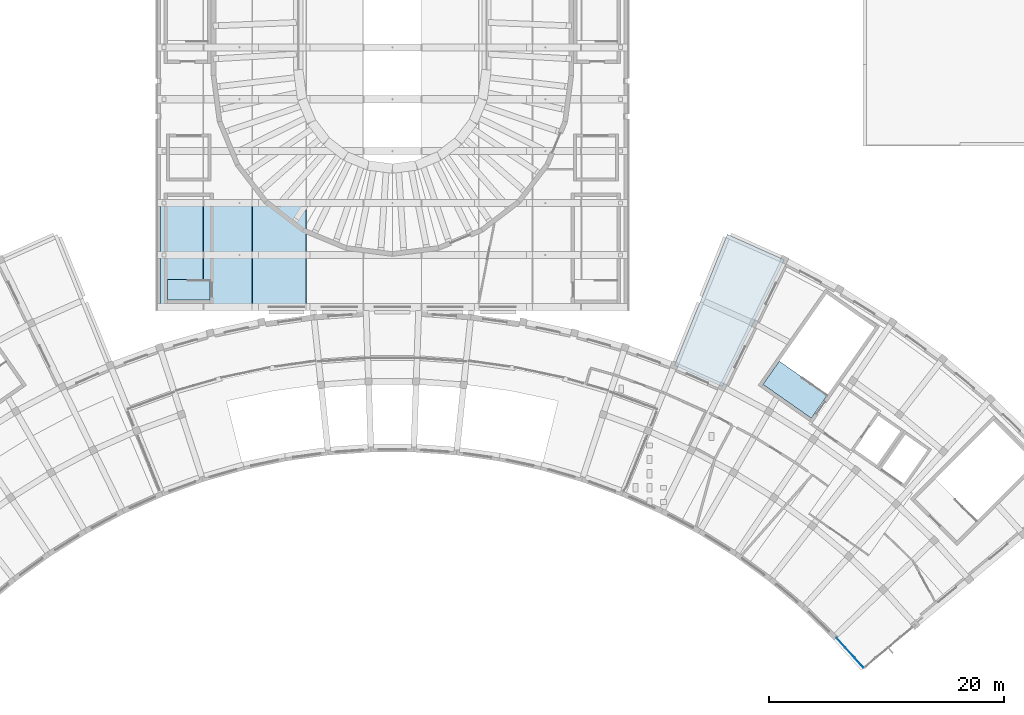
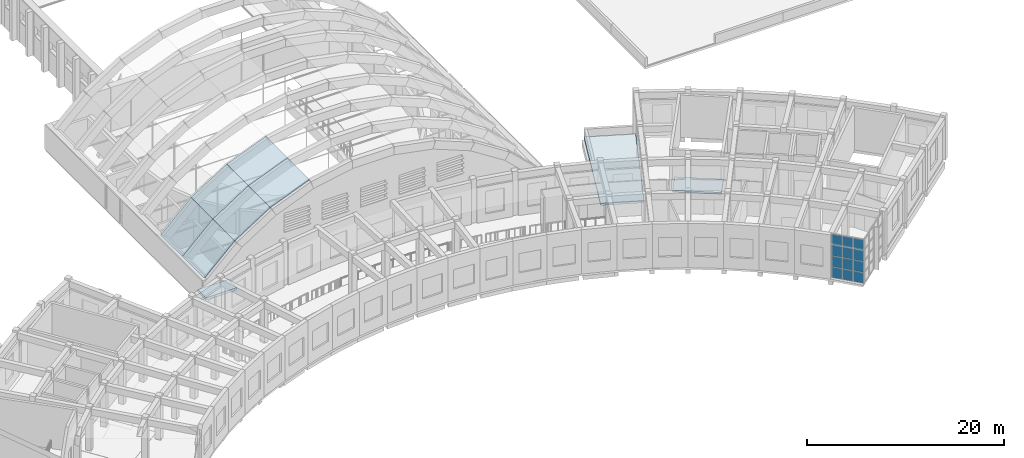
# One storey, part 55 of 94: 12 plates, 9 slabs, 1 element without a shape of its own.
"""IFC4 building model written with IfcOpenShell, lengths in metres."""

import ifcopenshell
import ifcopenshell.guid

model = None  # the IFC model being written
_history = None  # IfcOwnerHistory: only IFC2X3 demands one
_inside = {}  # id of a spatial element -> (the spatial element, [elements in it])
_under = {}  # id of a project, library or spatial element -> (it, [spatial elements below it])
_declared = {}  # id of a project -> (the project, [libraries it declares])
_typed = {}  # id of a type object -> (the type object, [elements of that type])
_made_of = {}  # id of a material, layer set ... -> (it, [elements and type objects made of it])


def new_model(schema):
    """Start an empty IFC model of exactly this schema.

    Asked for "IFC4X3", IfcOpenShell would pick the latest addendum, in which some entities
    have other attributes; the version numbers below select the first issue.
    IFC2X3 requires an IfcOwnerHistory on every rooted entity: one is made here for all.
    """
    global model, _history
    if schema == "IFC4X3":
        model = ifcopenshell.file(schema_version=(4, 3, 0, 0))
    else:
        model = ifcopenshell.file(schema=schema)
    _inside.clear()
    _under.clear()
    _declared.clear()
    _typed.clear()
    _made_of.clear()
    _history = None
    if model.schema == "IFC2X3":
        org = make("IfcOrganization", Name="unknown")
        user = make(
            "IfcPersonAndOrganization",
            ThePerson=make("IfcPerson", FamilyName="unknown"),
            TheOrganization=org,
        )
        app = make(
            "IfcApplication",
            ApplicationDeveloper=org,
            Version="unknown",
            ApplicationFullName="unknown",
            ApplicationIdentifier="unknown",
        )
        _history = make(
            "IfcOwnerHistory",
            OwningUser=user,
            OwningApplication=app,
            ChangeAction="ADDED",
            CreationDate=0,
        )
    return model


def make(cls, **values):
    """One entity of the class cls with the attributes given. An attribute that is None is left unset."""
    return model.create_entity(
        cls, **{name: value for name, value in values.items() if value is not None}
    )


def rooted(cls, **values):
    """An entity with a GlobalId (a new one), such as an element, a storey or a relation."""
    return make(cls, GlobalId=ifcopenshell.guid.new(), OwnerHistory=_history, **values)


def si_unit(unit_type, name, prefix=None):
    """IfcSIUnit, for example si_unit("LENGTHUNIT", "METRE", prefix="MILLI")."""
    return make("IfcSIUnit", UnitType=unit_type, Prefix=prefix, Name=name)


def assignment(units):
    """IfcUnitAssignment: the units of a project."""
    return None if units is None else make("IfcUnitAssignment", Units=units)


def point(xyz):
    """IfcCartesianPoint."""
    return None if xyz is None else make("IfcCartesianPoint", Coordinates=xyz)


def direction(xyz):
    """IfcDirection."""
    return None if xyz is None else make("IfcDirection", DirectionRatios=xyz)


def frame(location, z_axis=None, x_axis=None):
    """IfcAxis2Placement3D, a coordinate frame: its origin and axes. An axis left out is left unset."""
    return make(
        "IfcAxis2Placement3D",
        Location=point(location),
        Axis=direction(z_axis),
        RefDirection=direction(x_axis),
    )


def frame_2d(location, x_axis=None):
    """IfcAxis2Placement2D, a coordinate frame in the plane: its origin and x axis."""
    return make(
        "IfcAxis2Placement2D", Location=point(location), RefDirection=direction(x_axis)
    )


def origin():
    """The frame at (0, 0, 0) with its axes left unset."""
    return frame((0.0, 0.0, 0.0))


def origin_2d():
    """The frame at (0, 0) in the plane with its x axis left unset."""
    return frame_2d((0.0, 0.0))


def place(relative_to, where):
    """IfcLocalPlacement: puts the frame where relative to a parent placement (None: the world)."""
    return make(
        "IfcLocalPlacement", PlacementRelTo=relative_to, RelativePlacement=where
    )


def context(
    kind, dimensions, precision=None, world=None, true_north=None, identifier=None
):
    """IfcGeometricRepresentationContext, for example the 3D "Model" context."""
    return make(
        "IfcGeometricRepresentationContext",
        ContextIdentifier=identifier,
        ContextType=kind,
        CoordinateSpaceDimension=dimensions,
        Precision=precision,
        WorldCoordinateSystem=world,
        TrueNorth=true_north,
    )


def subcontext(parent, identifier, kind, view, scale=None):
    """IfcGeometricRepresentationSubContext, for example "Body" below "Model"."""
    return make(
        "IfcGeometricRepresentationSubContext",
        ContextIdentifier=identifier,
        ContextType=kind,
        ParentContext=parent,
        TargetScale=scale,
        TargetView=view,
    )


def project(units=None, contexts=None):
    """IfcProject with its units and contexts."""
    return rooted(
        "IfcProject",
        Name="project",
        RepresentationContexts=contexts,
        UnitsInContext=assignment(units),
    )


def spatial(cls, under=None, at=None, **own):
    """A site, building, storey or space (cls), placed at a placement, below another one or the project."""
    s = rooted(cls, ObjectPlacement=at, **own)
    if under is not None:
        _under.setdefault(under.id(), (under, []))[1].append(s)
    return s


def polyline(points):
    """IfcPolyline through the points."""
    return make("IfcPolyline", Points=[point(p) for p in points])


def profile(cls, at=None, kind="AREA", **sizes):
    """A parametric profile (cls). Its sizes go by their IFC names, for example OverallWidth=200.0."""
    return make(cls, ProfileType=kind, Position=at, **sizes)


def rectangle(**sizes):
    """IfcRectangleProfileDef."""
    return profile("IfcRectangleProfileDef", **sizes)


def outline(outer, holes=None, kind="AREA"):
    """IfcArbitraryClosedProfileDef: a profile drawn as a closed curve; with holes, ...WithVoids."""
    if holes is None:
        return make("IfcArbitraryClosedProfileDef", ProfileType=kind, OuterCurve=outer)
    return make(
        "IfcArbitraryProfileDefWithVoids",
        ProfileType=kind,
        OuterCurve=outer,
        InnerCurves=holes,
    )


def extrude(swept, where, along, depth):
    """IfcExtrudedAreaSolid: the profile swept, set in the frame where, extruded along a direction by depth."""
    return make(
        "IfcExtrudedAreaSolid",
        SweptArea=swept,
        Position=where,
        ExtrudedDirection=direction(along),
        Depth=depth,
    )


def shape(context_of_items, identifier, shape_type, items):
    """IfcShapeRepresentation: the items that make up one representation, for example the "Body"."""
    return make(
        "IfcShapeRepresentation",
        ContextOfItems=context_of_items,
        RepresentationIdentifier=identifier,
        RepresentationType=shape_type,
        Items=items,
    )


def material(Name=None, Category=None):
    """IfcMaterial."""
    return make("IfcMaterial", Name=Name, Category=Category)


def layer(
    of_material, thickness, ventilated=None, Name=None, Category=None, Priority=None
):
    """IfcMaterialLayer: one layer of a wall or slab, of a material (None: an air gap)."""
    return make(
        "IfcMaterialLayer",
        Material=of_material,
        LayerThickness=thickness,
        IsVentilated=ventilated,
        Name=Name,
        Category=Category,
        Priority=Priority,
    )


def layer_set(layers, Name=None):
    """IfcMaterialLayerSet."""
    return make("IfcMaterialLayerSet", MaterialLayers=layers, LayerSetName=Name)


def made_of(thing, what):
    """Note that an element or type object is made of a material, layer set ...; save() writes the relation."""
    if what is not None:
        _made_of.setdefault(what.id(), (what, []))[1].append(thing)
    return thing


def type_object(cls, material=None, **own):
    """A type object (cls), such as IfcWallType, which elements share."""
    return made_of(rooted(cls, **own), material)


def element(
    cls,
    number,
    at=None,
    inside=None,
    cuts=None,
    type_object=None,
    material=None,
    context=None,
    identifier="Body",
    shape_type=None,
    held_by="IfcProductDefinitionShape",
    body=None,
    shapes=None,
    **own,
):
    """One element of the class cls, such as IfcWall. Its Tag is "e" and its number.

    at: its placement. inside: the storey or other place that contains it. cuts: it is an
    opening in that element (IfcRelVoidsElement). A single representation is given by context,
    identifier, shape_type and body (its items); several are given by shapes. held_by: the class
    of the entity that holds the representations. save() writes the other relations.
    """
    e = rooted(cls, Tag="e%d" % number, ObjectPlacement=at, **own)
    if body is not None:
        shapes = [shape(context, identifier, shape_type, body)]
    if shapes is not None:
        e.Representation = make(held_by, Representations=shapes)
    if inside is not None:
        _inside.setdefault(inside.id(), (inside, []))[1].append(e)
    if cuts is not None:
        rooted(
            "IfcRelVoidsElement", RelatingBuildingElement=cuts, RelatedOpeningElement=e
        )
    if type_object is not None:
        _typed.setdefault(type_object.id(), (type_object, []))[1].append(e)
    return made_of(e, material)


def aggregate(whole, parts):
    """IfcRelAggregates: a whole, such as a stair, and the parts it consists of."""
    return rooted("IfcRelAggregates", RelatingObject=whole, RelatedObjects=parts)


def save(model, path):
    """Write the relations noted so far, then the file.

    IfcRelAggregates (storeys below a building ...), IfcRelContainedInSpatialStructure (elements
    in a storey), IfcRelDefinesByType, IfcRelAssociatesMaterial and IfcRelDeclares: one each for
    every whole, place, type object, material and project.
    """
    for whole, parts in _under.values():
        aggregate(whole, parts)
    for where, things in _inside.values():
        rooted(
            "IfcRelContainedInSpatialStructure",
            RelatedElements=things,
            RelatingStructure=where,
        )
    for kind, things in _typed.values():
        rooted("IfcRelDefinesByType", RelatedObjects=things, RelatingType=kind)
    for what, things in _made_of.values():
        rooted("IfcRelAssociatesMaterial", RelatedObjects=things, RelatingMaterial=what)
    for by, libraries in _declared.values():
        rooted("IfcRelDeclares", RelatingContext=by, RelatedDefinitions=libraries)
    model.write(path)


model = new_model("IFC4")

# Units and contexts
model_context = context("Model", 3, precision=1e-05, world=origin(), true_north=direction((0.0, 1.0)))
body_context = subcontext(model_context, "Body", "Model", "MODEL_VIEW")
ifc_project = project(units=[si_unit("LENGTHUNIT", "METRE"), si_unit("AREAUNIT", "SQUARE_METRE"), si_unit("VOLUMEUNIT", "CUBIC_METRE"), si_unit("PLANEANGLEUNIT", "RADIAN"), si_unit("MASSUNIT", "GRAM", prefix="KILO")], contexts=[model_context])

# Site, building, storey
site_placement = place(None, origin())
site = spatial("IfcSite", under=ifc_project, at=site_placement, CompositionType="ELEMENT")
building_placement = place(site_placement, origin())
building = spatial("IfcBuilding", under=site, at=building_placement, Name="Lunette Opera House", CompositionType="ELEMENT")
storey_placement = place(building_placement, frame((0.0, 0.0, 22.5)))
storey = spatial("IfcBuildingStorey", under=building, at=storey_placement, Name="L04", CompositionType="ELEMENT", Elevation=22.5)

# Slabs
ifc_material_1 = material(Name="Concrete C35/45", Category="concrete")
ifc_layer_1 = layer(ifc_material_1, 0.219970703125)
ifc_layer_set_1 = layer_set([ifc_layer_1], Name="Concrete C35/45")
slab_type_1 = type_object("IfcSlabType", Name="CORE LANDING SLAB 220", PredefinedType="LANDING", material=ifc_layer_set_1)
slab_1_placement = place(storey_placement, frame((0.0, 0.0, -0.219970703125)))
element("IfcSlab", 1, at=slab_1_placement, inside=storey, type_object=slab_type_1, Name="ST3 floor landing", PredefinedType="LANDING", context=body_context, shape_type="SweptSolid", body=[
    extrude(outline(polyline([(132.97607421875, 56.81689453125), (131.60009765625, 54.85107421875), (127.5029296875, 57.718994140625), (128.885986328125, 59.693115234375), (130.85205078125, 58.31689453125), (130.845947265625, 58.30810546875), (132.97607421875, 56.81689453125)])), origin(), (0.0, 0.0, 1.0), 0.219970703125),
])
ifc_material_2 = material(Name="Concrete C35/45", Category="concrete")
ifc_layer_2 = layer(ifc_material_2, 0.300048828125)
ifc_layer_set_2 = layer_set([ifc_layer_2], Name="Concrete C35/45")
slab_type_2 = type_object("IfcSlabType", Name="CORE LANDING SLAB 300", PredefinedType="LANDING", material=ifc_layer_set_2)
slab_2_placement = place(storey_placement, frame((0.0, 0.0, -0.300048828125)))
element("IfcSlab", 2, at=slab_2_placement, inside=storey, type_object=slab_type_2, Name="ST7 floor landing", PredefinedType="LANDING", context=body_context, shape_type="SweptSolid", body=[
    extrude(outline(polyline([(80.5, 66.6201171875), (80.5, 64.89990234375), (76.89990234375, 64.89990234375), (76.89990234375, 66.6298828125), (78.6201171875, 66.6298828125), (78.6201171875, 66.6201171875), (80.5, 66.6201171875)])), origin(), (0.0, 0.0, 1.0), 0.300048828125),
])

# Curtain wall, plates
ifc_material_3 = material(Name="Aluminium", Category="aluminium")
ifc_layer_3 = layer(ifc_material_3, 0.159912109375)
ifc_layer_set_3 = layer_set([ifc_layer_3], Name="Aluminium")
curtain_wall_type = type_object("IfcCurtainWallType", Name="CORNER CURTAIN WALL", PredefinedType="NOTDEFINED", material=ifc_layer_set_3)
curtain_wall_placement = place(storey_placement, origin())
curtain_wall = element("IfcCurtainWall", 3, at=curtain_wall_placement, inside=storey, type_object=curtain_wall_type, Name="Corner Curtain Wall GC-E1 L04", PredefinedType="NOTDEFINED")
ifc_material_4 = material(Name="Laminated glass", Category="glass")
ifc_layer_4 = layer(ifc_material_4, 0.028076171875)
ifc_layer_set_4 = layer_set([ifc_layer_4], Name="Laminated glass")
plate_type = type_object("IfcPlateType", Name="CURTAIN PANEL LAMINATED GLASS 28", PredefinedType="CURTAIN_PANEL", material=ifc_layer_set_4)
plate_1_placement = place(storey_placement, frame((134.125732421875, 35.777587890625, 0.06005859375), z_axis=(0.0, 0.0, 1.0), x_axis=(0.667938143615, -0.744216793887, 0.0)))
plate_1 = element("IfcPlate", 4, at=plate_1_placement, type_object=plate_type, Name="FC-X2179 panel 1.1", PredefinedType="CURTAIN_PANEL", context=body_context, shape_type="SweptSolid", body=[
    extrude(rectangle(XDim=1.07666015625, YDim=0.028076171875, at=origin_2d()), origin(), (0.0, 0.0, 1.0), 1.284912109375),
])
plate_2_placement = place(storey_placement, frame((134.125732421875, 35.777587890625, 1.405029296875), z_axis=(0.0, 0.0, 1.0), x_axis=(0.667938143615, -0.744216793887, 0.0)))
plate_2 = element("IfcPlate", 5, at=plate_2_placement, type_object=plate_type, Name="FC-X2179 panel 1.2", PredefinedType="CURTAIN_PANEL", context=body_context, shape_type="SweptSolid", body=[
    extrude(rectangle(XDim=1.07666015625, YDim=0.028076171875, at=origin_2d()), origin(), (0.0, 0.0, 1.0), 1.31494140625),
])
plate_3_placement = place(storey_placement, frame((134.125732421875, 35.777587890625, 2.780029296875), z_axis=(0.0, 0.0, 1.0), x_axis=(0.667938143615, -0.744216793887, 0.0)))
plate_3 = element("IfcPlate", 6, at=plate_3_placement, type_object=plate_type, Name="FC-X2179 panel 1.3", PredefinedType="CURTAIN_PANEL", context=body_context, shape_type="SweptSolid", body=[
    extrude(rectangle(XDim=1.07666015625, YDim=0.028076171875, at=origin_2d()), origin(), (0.0, 0.0, 1.0), 1.31494140625),
])
plate_4_placement = place(storey_placement, frame((134.125732421875, 35.777587890625, 4.1552734375), z_axis=(0.0, 0.0, 1.0), x_axis=(0.667938143615, -0.744216793887, 0.0)))
plate_4 = element("IfcPlate", 7, at=plate_4_placement, type_object=plate_type, Name="FC-X2179 panel 1.4", PredefinedType="CURTAIN_PANEL", context=body_context, shape_type="SweptSolid", body=[
    extrude(rectangle(XDim=1.07666015625, YDim=0.028076171875, at=origin_2d()), origin(), (0.0, 0.0, 1.0), 1.284912109375),
])
plate_5_placement = place(storey_placement, frame((134.89501953125, 34.92041015625, 0.06005859375), z_axis=(0.0, 0.0, 1.0), x_axis=(0.667938143615, -0.744216793887, 0.0)))
plate_5 = element("IfcPlate", 8, at=plate_5_placement, type_object=plate_type, Name="FC-X2179 panel 2.1", PredefinedType="CURTAIN_PANEL", context=body_context, shape_type="SweptSolid", body=[
    extrude(rectangle(XDim=1.106689453125, YDim=0.028076171875, at=origin_2d()), origin(), (0.0, 0.0, 1.0), 1.284912109375),
])
plate_6_placement = place(storey_placement, frame((134.89501953125, 34.92041015625, 1.405029296875), z_axis=(0.0, 0.0, 1.0), x_axis=(0.667938143615, -0.744216793887, 0.0)))
plate_6 = element("IfcPlate", 9, at=plate_6_placement, type_object=plate_type, Name="FC-X2179 panel 2.2", PredefinedType="CURTAIN_PANEL", context=body_context, shape_type="SweptSolid", body=[
    extrude(rectangle(XDim=1.106689453125, YDim=0.028076171875, at=origin_2d()), origin(), (0.0, 0.0, 1.0), 1.31494140625),
])
plate_7_placement = place(storey_placement, frame((134.89501953125, 34.92041015625, 2.780029296875), z_axis=(0.0, 0.0, 1.0), x_axis=(0.667938143615, -0.744216793887, 0.0)))
plate_7 = element("IfcPlate", 10, at=plate_7_placement, type_object=plate_type, Name="FC-X2179 panel 2.3", PredefinedType="CURTAIN_PANEL", context=body_context, shape_type="SweptSolid", body=[
    extrude(rectangle(XDim=1.106689453125, YDim=0.028076171875, at=origin_2d()), origin(), (0.0, 0.0, 1.0), 1.31494140625),
])
plate_8_placement = place(storey_placement, frame((134.89501953125, 34.92041015625, 4.1552734375), z_axis=(0.0, 0.0, 1.0), x_axis=(0.667938143615, -0.744216793887, 0.0)))
plate_8 = element("IfcPlate", 11, at=plate_8_placement, type_object=plate_type, Name="FC-X2179 panel 2.4", PredefinedType="CURTAIN_PANEL", context=body_context, shape_type="SweptSolid", body=[
    extrude(rectangle(XDim=1.106689453125, YDim=0.028076171875, at=origin_2d()), origin(), (0.0, 0.0, 1.0), 1.284912109375),
])
plate_9_placement = place(storey_placement, frame((135.664306640625, 34.063232421875, 0.06005859375), z_axis=(0.0, 0.0, 1.0), x_axis=(0.667938143615, -0.744216793887, 0.0)))
plate_9 = element("IfcPlate", 12, at=plate_9_placement, type_object=plate_type, Name="FC-X2179 panel 3.1", PredefinedType="CURTAIN_PANEL", context=body_context, shape_type="SweptSolid", body=[
    extrude(rectangle(XDim=1.07666015625, YDim=0.028076171875, at=origin_2d()), origin(), (0.0, 0.0, 1.0), 1.284912109375),
])
plate_10_placement = place(storey_placement, frame((135.664306640625, 34.063232421875, 1.405029296875), z_axis=(0.0, 0.0, 1.0), x_axis=(0.667938143615, -0.744216793887, 0.0)))
plate_10 = element("IfcPlate", 13, at=plate_10_placement, type_object=plate_type, Name="FC-X2179 panel 3.2", PredefinedType="CURTAIN_PANEL", context=body_context, shape_type="SweptSolid", body=[
    extrude(rectangle(XDim=1.07666015625, YDim=0.028076171875, at=origin_2d()), origin(), (0.0, 0.0, 1.0), 1.31494140625),
])
plate_11_placement = place(storey_placement, frame((135.664306640625, 34.063232421875, 2.780029296875), z_axis=(0.0, 0.0, 1.0), x_axis=(0.667938143615, -0.744216793887, 0.0)))
plate_11 = element("IfcPlate", 14, at=plate_11_placement, type_object=plate_type, Name="FC-X2179 panel 3.3", PredefinedType="CURTAIN_PANEL", context=body_context, shape_type="SweptSolid", body=[
    extrude(rectangle(XDim=1.07666015625, YDim=0.028076171875, at=origin_2d()), origin(), (0.0, 0.0, 1.0), 1.31494140625),
])
plate_12_placement = place(storey_placement, frame((135.664306640625, 34.063232421875, 4.1552734375), z_axis=(0.0, 0.0, 1.0), x_axis=(0.667938143615, -0.744216793887, 0.0)))
plate_12 = element("IfcPlate", 15, at=plate_12_placement, type_object=plate_type, Name="FC-X2179 panel 3.4", PredefinedType="CURTAIN_PANEL", context=body_context, shape_type="SweptSolid", body=[
    extrude(rectangle(XDim=1.07666015625, YDim=0.028076171875, at=origin_2d()), origin(), (0.0, 0.0, 1.0), 1.284912109375),
])
aggregate(curtain_wall, [plate_1, plate_2, plate_3, plate_4, plate_5, plate_6, plate_7, plate_8, plate_9, plate_10, plate_11, plate_12])

# Slabs
ifc_material_5 = material(Name="Concrete C35/45", Category="concrete")
ifc_layer_5 = layer(ifc_material_5, 0.25)
ifc_layer_set_5 = layer_set([ifc_layer_5], Name="Concrete C35/45")
slab_type_3 = type_object("IfcSlabType", Name="ROOF SLAB 250", PredefinedType="ROOF", material=ifc_layer_set_5)
slab_3_placement = place(storey_placement, frame((0.0, 0.0, -0.25)))
element("IfcSlab", 16, at=slab_3_placement, inside=storey, type_object=slab_type_3, Name="slab-FC-L03-R2", PredefinedType="ROOF", context=body_context, shape_type="SweptSolid", body=[
    extrude(outline(polyline([(124.469970703125, 70.466064453125), (119.97509765625, 59.340087890625), (124.055908203125, 57.52294921875), (129.31591796875, 68.30810546875), (124.469970703125, 70.466064453125)])), origin(), (0.0, 0.0, 1.0), 0.25),
])
ifc_material_6 = material(Name="Concrete C40/50", Category="concrete")
ifc_layer_6 = layer(ifc_material_6, 0.1201171875)
ifc_layer_set_6 = layer_set([ifc_layer_6], Name="Concrete C40/50")
slab_type_4 = type_object("IfcSlabType", Name="SHELL STRIP 120", PredefinedType="ROOF", material=ifc_layer_set_6)
slab_4_placement = place(storey_placement, frame((76.300048828125, 64.300048828125, 3.0), z_axis=(-0.690260134545, 0.0, 0.723561294333), x_axis=(0.723561294333, 0.0, 0.690260134545)))
element("IfcSlab", 17, at=slab_4_placement, inside=storey, type_object=slab_type_4, Name="slab-AU-L04-BS1-1", PredefinedType="ROOF", context=body_context, shape_type="SweptSolid", body=[
    extrude(outline(polyline([(0.0, 0.0), (4.955955394633429, 0.0), (4.955955394633429, 4.4140625), (0.0, 4.4140625), (0.0, 0.0)])), origin(), (0.0, 0.0, -1.0), 0.1201171875),
])
slab_5_placement = place(storey_placement, frame((79.885986328125, 64.300048828125, 6.4208984375), z_axis=(-0.540777508608, 0.0, 0.841165671068), x_axis=(0.841165671068, 0.0, 0.540777508608)))
element("IfcSlab", 18, at=slab_5_placement, inside=storey, type_object=slab_type_4, Name="slab-AU-L04-BS1-2", PredefinedType="ROOF", context=body_context, shape_type="SweptSolid", body=[
    extrude(outline(polyline([(0.0, 0.0), (4.956152463051835, 0.0), (4.956152463051835, 4.4140625), (0.0, 4.4140625), (0.0, 0.0)])), origin(), (0.0, 0.0, -1.0), 0.1201171875),
])
slab_6_placement = place(storey_placement, frame((84.054931640625, 64.300048828125, 9.10107421875), z_axis=(-0.371840739354, 0.0, 0.928296539128), x_axis=(0.928296539128, 0.0, 0.371840739354)))
element("IfcSlab", 19, at=slab_6_placement, inside=storey, type_object=slab_type_4, Name="slab-AU-L04-BS1-3", PredefinedType="ROOF", context=body_context, shape_type="SweptSolid", body=[
    extrude(outline(polyline([(0.0, 0.0), (4.9564702924282384, 0.0), (4.9564702924282384, 4.4140625), (0.0, 4.4140625), (0.0, 0.0)])), origin(), (0.0, 0.0, -1.0), 0.1201171875),
])
slab_7_placement = place(storey_placement, frame((76.300048828125, 68.714111328125, 3.0), z_axis=(-0.690260134545, 0.0, 0.723561294333), x_axis=(0.723561294333, 0.0, 0.690260134545)))
element("IfcSlab", 20, at=slab_7_placement, inside=storey, type_object=slab_type_4, Name="slab-AU-L04-BS2-1", PredefinedType="ROOF", context=body_context, shape_type="SweptSolid", body=[
    extrude(outline(polyline([(0.0, 0.0), (4.955955394633429, 0.0), (4.955955394633429, 4.414794921874999), (0.0, 4.414794921874999), (0.0, 0.0)])), origin(), (0.0, 0.0, -1.0), 0.1201171875),
])
slab_8_placement = place(storey_placement, frame((79.885986328125, 68.714111328125, 6.4208984375), z_axis=(-0.540777508608, 0.0, 0.841165671068), x_axis=(0.841165671068, 0.0, 0.540777508608)))
element("IfcSlab", 21, at=slab_8_placement, inside=storey, type_object=slab_type_4, Name="slab-AU-L04-BS2-2", PredefinedType="ROOF", context=body_context, shape_type="SweptSolid", body=[
    extrude(outline(polyline([(0.0, 0.0), (4.956152463051835, 0.0), (4.956152463051835, 4.414794921875), (0.0, 4.414794921875), (0.0, 0.0)])), origin(), (0.0, 0.0, -1.0), 0.1201171875),
])
slab_9_placement = place(storey_placement, frame((84.054931640625, 68.714111328125, 9.10107421875), z_axis=(-0.371840739354, 0.0, 0.928296539128), x_axis=(0.928296539128, 0.0, 0.371840739354)))
element("IfcSlab", 22, at=slab_9_placement, inside=storey, type_object=slab_type_4, Name="slab-AU-L04-BS2-3", PredefinedType="ROOF", context=body_context, shape_type="SweptSolid", body=[
    extrude(outline(polyline([(0.0, 0.0), (4.9564702924282384, 0.0), (4.9564702924282384, 4.414794921875), (0.0, 4.414794921875), (0.0, 0.0)])), origin(), (0.0, 0.0, -1.0), 0.1201171875),
])

save(model, "model.ifc")
